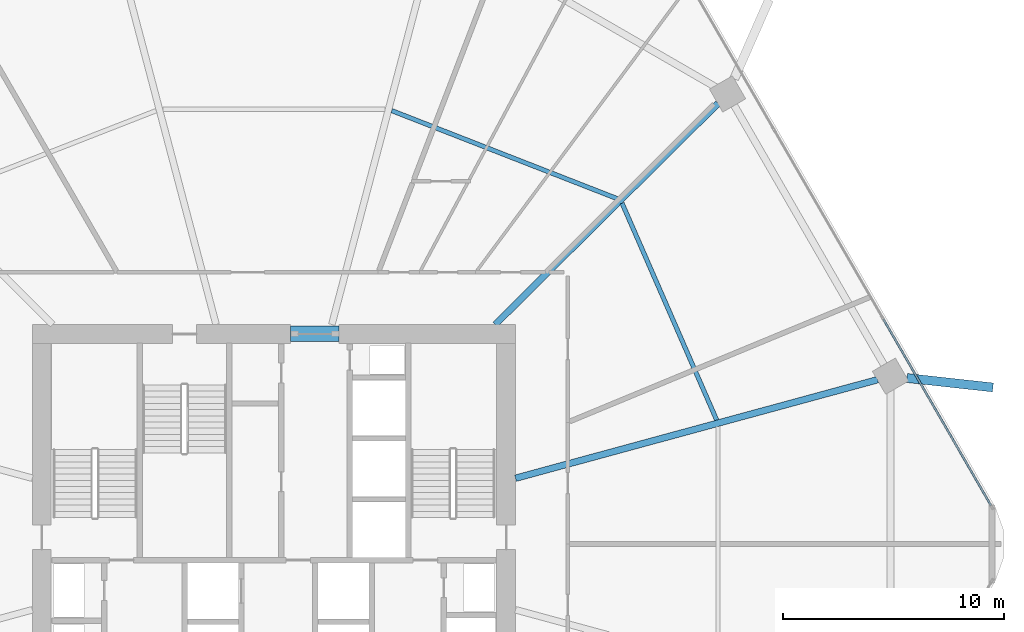
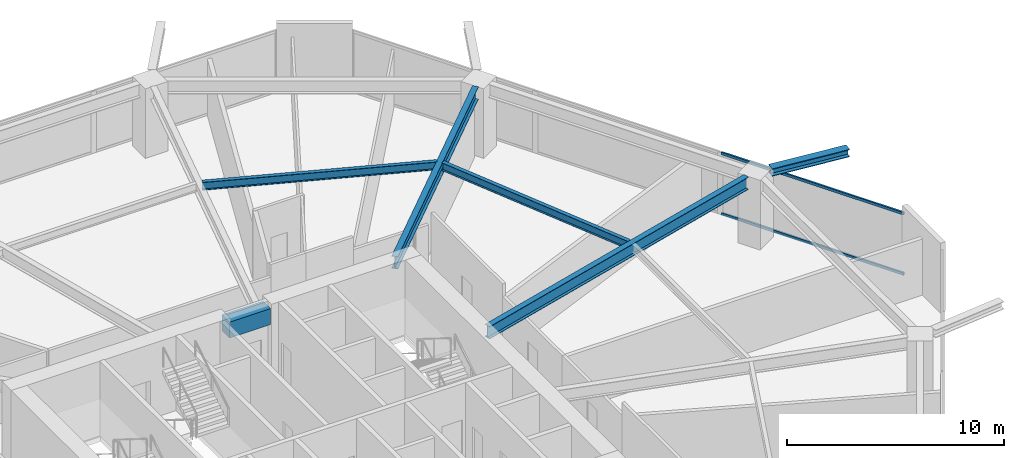
# One storey, part 16 of 25: 6 beams, 2 members, 1 element without a shape of its own.
"""IFC4 building model written with IfcOpenShell, lengths in metres."""

from ifc_helpers import new_model, si_unit, direction, frame, origin, origin_2d, place, context, subcontext, project, spatial, rectangle, hollow_rectangle, i_section, extrude, material, material_profile, profile_set, type_object, element, aggregate, save


model = new_model("IFC4")

# Units and contexts
model_context = context("Model", 3, precision=1e-05, world=origin(), true_north=direction((0.0, 1.0)))
body_context = subcontext(model_context, "Body", "Model", "MODEL_VIEW")
ifc_project = project(units=[si_unit("LENGTHUNIT", "METRE"), si_unit("AREAUNIT", "SQUARE_METRE"), si_unit("VOLUMEUNIT", "CUBIC_METRE"), si_unit("PLANEANGLEUNIT", "RADIAN"), si_unit("MASSUNIT", "GRAM", prefix="KILO")], contexts=[model_context])

# Site, building, storey
site_placement = place(None, origin())
site = spatial("IfcSite", under=ifc_project, at=site_placement, CompositionType="ELEMENT")
building_placement = place(site_placement, origin())
building = spatial("IfcBuilding", under=site, at=building_placement, Name="Zuhravey Tower", CompositionType="ELEMENT")
storey_placement = place(building_placement, frame((0.0, 0.0, 70.800048828125)))
storey = spatial("IfcBuildingStorey", under=building, at=storey_placement, Name="L17", CompositionType="ELEMENT", Elevation=70.800048828125)

# Beam
ifc_material_1 = material(Name="Concrete C60/75", Category="concrete")
ifc_material_profile_1 = material_profile(ifc_material_1, rectangle(XDim=0.699951171875, YDim=0.89990234375, at=origin_2d()), Name="RC-700x900")
ifc_profile_set_1 = profile_set([ifc_material_profile_1], Name="Concrete C60/75")
beam_type_1 = type_object("IfcBeamType", Name="Core Coupling Beam RC700x900", PredefinedType="LINTEL", material=ifc_profile_set_1)
beam_1_placement = place(storey_placement, frame((36.751953125, 41.5, 3.469970703125), z_axis=(1.0, 0.0, 0.0), x_axis=(0.0, 1.0, 0.0)))
element("IfcBeam", 1, at=beam_1_placement, inside=storey, type_object=beam_type_1, Name="L17 CB1 BM-L17-CB-N", PredefinedType="LINTEL", context=body_context, shape_type="SweptSolid", body=[
    extrude(rectangle(XDim=0.699951171875, YDim=0.89990234375, at=origin_2d()), origin(), (0.0, 0.0, 1.0), 2.196044921875),
])

# Curtain wall, members
ifc_material_2 = material(Name="Thermally broken anodised aluminium", Category="aluminium")
curtain_wall_type = type_object("IfcCurtainWallType", Name="School Low-E Unitised Curtain Wall CW1", PredefinedType="NOTDEFINED", material=ifc_material_2)
curtain_wall_placement = place(storey_placement, origin())
curtain_wall = element("IfcCurtainWall", 2, at=curtain_wall_placement, inside=storey, type_object=curtain_wall_type, Name="L17 CW1 CW-L17-F1-1", PredefinedType="NOTDEFINED")
ifc_material_3 = material(Name="Anodised aluminium", Category="aluminium")
ifc_material_profile_2 = material_profile(ifc_material_3, hollow_rectangle(XDim=0.090087890625, YDim=0.14990234375, WallThickness=0.0048828125, at=origin_2d()), Name="ALU-RHS-90x150x5")
ifc_profile_set_2 = profile_set([ifc_material_profile_2], Name="Anodised aluminium")
member_type = type_object("IfcMemberType", Name="Curtain-Wall Transom 90x150", PredefinedType="USERDEFINED", material=ifc_profile_set_2)
member_1_placement = place(storey_placement, frame((63.56787109375, 42.16796875, 0.044921875), z_axis=(0.500008393077, -0.866020557985, 0.0), x_axis=(0.866020557985, 0.500008393077, 0.0)))
member_1 = element("IfcMember", 3, at=member_1_placement, type_object=member_type, Name="CW1 transom 3.1", ObjectType="TRANSOM", PredefinedType="USERDEFINED", context=body_context, shape_type="SweptSolid", body=[
    extrude(hollow_rectangle(XDim=0.090087890625, YDim=0.14990234375, WallThickness=0.0048828125, at=origin_2d()), origin(), (0.0, 0.0, 1.0), 9.731201171875),
])
member_2_placement = place(storey_placement, frame((63.56787109375, 42.16796875, 3.447021484375), z_axis=(0.500008393077, -0.866020557985, 0.0), x_axis=(0.866020557985, 0.500008393077, 0.0)))
member_2 = element("IfcMember", 4, at=member_2_placement, type_object=member_type, Name="CW1 transom 3.2", ObjectType="TRANSOM", PredefinedType="USERDEFINED", context=body_context, shape_type="SweptSolid", body=[
    extrude(hollow_rectangle(XDim=0.090087890625, YDim=0.14990234375, WallThickness=0.0048828125, at=origin_2d()), origin(), (0.0, 0.0, 1.0), 9.731201171875),
])
aggregate(curtain_wall, [member_1, member_2])

# Beams
ifc_material_4 = material(Name="Steel SM460", Category="steel")
ifc_material_profile_3 = material_profile(ifc_material_4, i_section(OverallWidth=0.406982421875, OverallDepth=0.427978515625, WebThickness=0.02001953125, FlangeThickness=0.034912109375, at=origin_2d()), Name="H-428x407x20x35")
ifc_profile_set_3 = profile_set([ifc_material_profile_3], Name="Steel SM460")
beam_type_2 = type_object("IfcBeamType", Name="Exoskeleton Node Tie Beam H428x407", PredefinedType="BEAM", material=ifc_profile_set_3)
beam_2_placement = place(storey_placement, frame((64.6328125, 39.509765625, 3.7060546875), z_axis=(0.994007881498, -0.109308423825, 0.0), x_axis=(0.109308423825, 0.994007881498, 0.0)))
element("IfcBeam", 5, at=beam_2_placement, inside=storey, type_object=beam_type_2, Name="L17 Exoskeleton Node Tie NT1-01", PredefinedType="BEAM", context=body_context, shape_type="SweptSolid", body=[
    extrude(i_section(OverallWidth=0.406982421875, OverallDepth=0.427978515625, WebThickness=0.02001953125, FlangeThickness=0.034912109375, at=origin_2d()), origin(), (0.0, 0.0, 1.0), 3.9130859375),
])
ifc_material_5 = material(Name="Steel SM355", Category="steel")
ifc_material_profile_4 = material_profile(ifc_material_5, i_section(OverallWidth=0.300048828125, OverallDepth=0.699951171875, WebThickness=0.012939453125, FlangeThickness=0.02392578125, at=origin_2d()), Name="H-700x300x13x24")
ifc_profile_set_4 = profile_set([ifc_material_profile_4], Name="Steel SM355")
beam_type_3 = type_object("IfcBeamType", Name="Radial Primary Girder H700x300", PredefinedType="BEAM", material=ifc_profile_set_4)
beam_3_placement = place(storey_placement, frame((46.927978515625, 34.974609375, 3.570068359375), z_axis=(0.964892480455, 0.26264520015, 0.0), x_axis=(-0.26264520015, 0.964892480455, 0.0)))
element("IfcBeam", 6, at=beam_3_placement, inside=storey, type_object=beam_type_3, Name="L17 RG1 BM-L17-RAD-01", PredefinedType="BEAM", context=body_context, shape_type="SweptSolid", body=[
    extrude(i_section(OverallWidth=0.300048828125, OverallDepth=0.699951171875, WebThickness=0.012939453125, FlangeThickness=0.02392578125, at=origin_2d()), origin(), (0.0, 0.0, 1.0), 16.975341796875),
])
beam_4_placement = place(storey_placement, frame((46.007080078125, 41.927978515625, 3.570068359375), z_axis=(0.709902823282, 0.704299639, 0.0), x_axis=(-0.704299639, 0.709902823282, 0.0)))
element("IfcBeam", 7, at=beam_4_placement, inside=storey, type_object=beam_type_3, Name="L17 RG1 BM-L17-RAD-02", PredefinedType="BEAM", context=body_context, shape_type="SweptSolid", body=[
    extrude(i_section(OverallWidth=0.300048828125, OverallDepth=0.699951171875, WebThickness=0.012939453125, FlangeThickness=0.02392578125, at=origin_2d()), origin(), (0.0, 0.0, 1.0), 14.204345703125),
])
ifc_material_profile_5 = material_profile(ifc_material_5, i_section(OverallWidth=0.199951171875, OverallDepth=0.449951171875, WebThickness=0.009033203125, FlangeThickness=0.013916015625, at=origin_2d()), Name="H-450x200x9x14")
ifc_profile_set_5 = profile_set([ifc_material_profile_5], Name="Steel SM355")
beam_type_4 = type_object("IfcBeamType", Name="Secondary Floor Joist H450x200", PredefinedType="JOIST", material=ifc_profile_set_5)
beam_5_placement = place(storey_placement, frame((56.025390625, 37.60888671875, 3.695068359375), z_axis=(-0.399923551578, 0.916548500022, 0.0), x_axis=(-0.916548500022, -0.399923551578, 0.0)))
element("IfcBeam", 8, at=beam_5_placement, inside=storey, type_object=beam_type_4, Name="L17 SJ1 BM-L17-SJ-01-1", PredefinedType="JOIST", context=body_context, shape_type="SweptSolid", body=[
    extrude(i_section(OverallWidth=0.199951171875, OverallDepth=0.449951171875, WebThickness=0.009033203125, FlangeThickness=0.013916015625, at=origin_2d()), origin(), (0.0, 0.0, 1.0), 10.70263671875),
])
beam_6_placement = place(storey_placement, frame((51.5400390625, 47.61572265625, 3.695068359375), z_axis=(-0.931516535886, 0.363698973562, 0.0), x_axis=(-0.363698973562, -0.931516535886, 0.0)))
element("IfcBeam", 9, at=beam_6_placement, inside=storey, type_object=beam_type_4, Name="L17 SJ1 BM-L17-SJ-02-1", PredefinedType="JOIST", context=body_context, shape_type="SweptSolid", body=[
    extrude(i_section(OverallWidth=0.199951171875, OverallDepth=0.449951171875, WebThickness=0.009033203125, FlangeThickness=0.013916015625, at=origin_2d()), origin(), (0.0, 0.0, 1.0), 10.963134765625),
])

save(model, "model.ifc")
